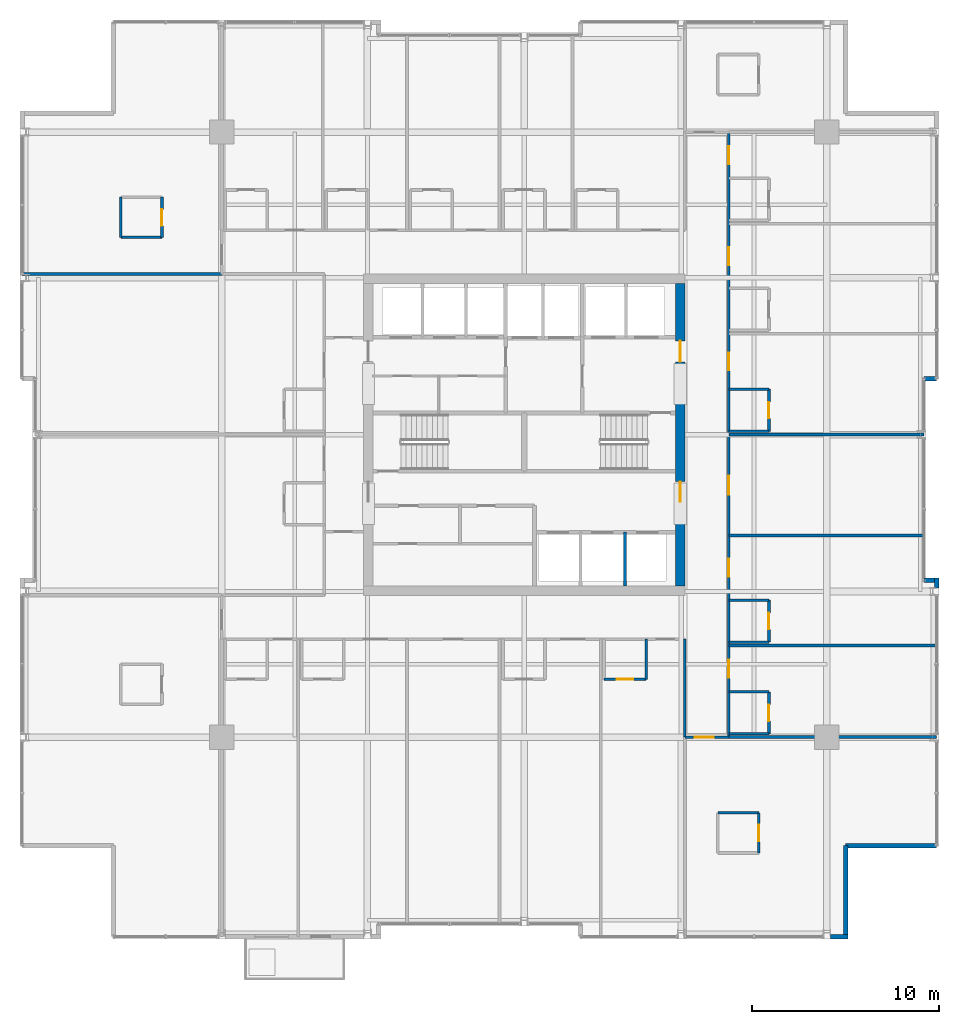
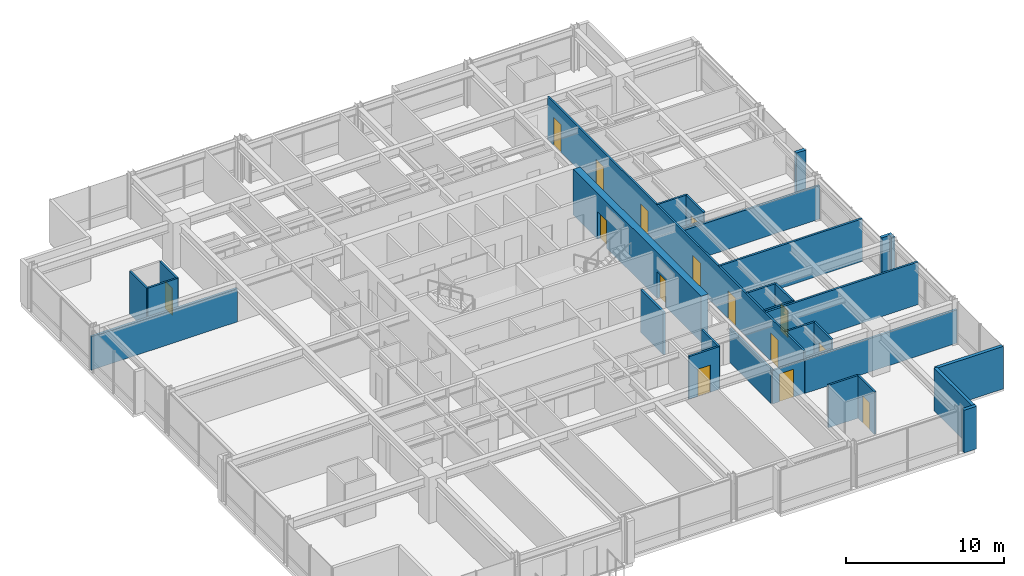
# One storey, part 28 of 32: 32 walls, 15 doors, 15 openings.
"""IFC4 building model written with IfcOpenShell, lengths in metres."""

from ifc_helpers import new_model, si_unit, direction, frame, frame_2d, origin, place, context, subcontext, project, spatial, rectangle, extrude, material, layer, layer_set, type_object, element, fill, save


model = new_model("IFC4")

# Units and contexts
model_context = context("Model", 3, precision=1e-05, world=origin(), true_north=direction((0.0, 1.0)))
body_context = subcontext(model_context, "Body", "Model", "MODEL_VIEW")
ifc_project = project(units=[si_unit("LENGTHUNIT", "METRE"), si_unit("AREAUNIT", "SQUARE_METRE"), si_unit("VOLUMEUNIT", "CUBIC_METRE"), si_unit("PLANEANGLEUNIT", "RADIAN"), si_unit("MASSUNIT", "GRAM", prefix="KILO")], contexts=[model_context])

# Site, building, storey
site_placement = place(None, origin())
site = spatial("IfcSite", under=ifc_project, at=site_placement, CompositionType="ELEMENT")
building_placement = place(site_placement, origin())
building = spatial("IfcBuilding", under=site, at=building_placement, Name="Drelvath Grand Hotel", CompositionType="ELEMENT")
storey_placement = place(building_placement, frame((0.0, 0.0, 150.39990234375)))
storey = spatial("IfcBuildingStorey", under=building, at=storey_placement, Name="L38", CompositionType="ELEMENT", Elevation=150.39990234375)

# Walls
ifc_material_1 = material(Name="Gypsum Fireboard Partition")
ifc_layer_1 = layer(ifc_material_1, 0.1650390625)
ifc_layer_set_1 = layer_set([ifc_layer_1], Name="Gypsum Fireboard Partition")
wall_type_1 = type_object("IfcWallType", Name="Core Shaft Partition 165", PredefinedType="PARTITIONING", material=ifc_layer_set_1)
wall_1_placement = place(storey_placement, frame((5.39990234375, 18.89990234375, 0.0), z_axis=(0.0, 0.0, 1.0), x_axis=(0.0, 1.0, 0.0)))
element("IfcWall", 1, at=wall_1_placement, inside=storey, type_object=wall_type_1, Name="L38 Lift PE-5/6 Divider", PredefinedType="PARTITIONING", context=body_context, shape_type="SweptSolid", body=[
    extrude(rectangle(XDim=2.880126953125, YDim=0.1650390625, at=frame_2d((1.43994140625, 0.0))), origin(), (0.0, 0.0, 1.0), 3.2900390625),
])
ifc_layer_2 = layer(ifc_material_1, 0.135009765625)
ifc_layer_set_2 = layer_set([ifc_layer_2], Name="Gypsum Fireboard Partition")
wall_type_2 = type_object("IfcWallType", Name="Corridor Fire Barrier Wall 135", PredefinedType="PARTITIONING", material=ifc_layer_set_2)
wall_2_placement = place(storey_placement, frame((8.60009765625, 10.800048828125, 0.0), z_axis=(0.0, 0.0, 1.0), x_axis=(0.0, 1.0, 0.0)))
element("IfcWall", 2, at=wall_2_placement, inside=storey, type_object=wall_type_2, Name="L38 East Spine South Inner Wall", PredefinedType="PARTITIONING", context=body_context, shape_type="SweptSolid", body=[
    extrude(rectangle(XDim=5.25, YDim=0.135009765625, at=frame_2d((2.625, 0.0))), origin(), (0.0, 0.0, 1.0), 2.66748046875),
])

# Wall, openings, doors
wall_3_placement = place(storey_placement, frame((10.949951171875, 10.800048828125, 0.0), z_axis=(0.0, 0.0, 1.0), x_axis=(0.0, 1.0, 0.0)))
wall_3 = element("IfcWall", 3, at=wall_3_placement, inside=storey, type_object=wall_type_2, Name="L38 East Spine Corridor Wall", PredefinedType="PARTITIONING", context=body_context, shape_type="SweptSolid", body=[
    extrude(rectangle(XDim=32.39990234375, YDim=0.135009765625, at=frame_2d((16.199951171875, 0.0))), origin(), (0.0, 0.0, 1.0), 3.2900390625),
])
opening_1_placement = place(wall_3_placement, frame((3.189453125, 0.0, 0.0)))
opening_1 = element("IfcOpeningElement", 4, at=opening_1_placement, cuts=wall_3, Name="Opening D-T3G1-054", PredefinedType="OPENING", context=body_context, shape_type="SweptSolid", body=[
    extrude(rectangle(XDim=0.9599609375, YDim=2.14990234375, at=frame_2d((0.47998046875, 1.074951171875))), frame((0.0, 0.077392578125, 0.0), z_axis=(0.0, -1.0, 0.0), x_axis=(1.0, 0.0, 0.0)), (0.0, 0.0, 1.0), 0.155029296875),
])
opening_2_placement = place(wall_3_placement, frame((8.589599609375, 0.0, 0.0)))
opening_2 = element("IfcOpeningElement", 5, at=opening_2_placement, cuts=wall_3, Name="Opening D-T3G1-056", PredefinedType="OPENING", context=body_context, shape_type="SweptSolid", body=[
    extrude(rectangle(XDim=0.9599609375, YDim=2.14990234375, at=frame_2d((0.47998046875, 1.074951171875))), frame((0.0, 0.077392578125, 0.0), z_axis=(0.0, -1.0, 0.0), x_axis=(1.0, 0.0, 0.0)), (0.0, 0.0, 1.0), 0.155029296875),
])
opening_3_placement = place(wall_3_placement, frame((12.989990234375, 0.0, 0.0)))
opening_3 = element("IfcOpeningElement", 6, at=opening_3_placement, cuts=wall_3, Name="Opening D-T3G1-057", PredefinedType="OPENING", context=body_context, shape_type="SweptSolid", body=[
    extrude(rectangle(XDim=1.02001953125, YDim=2.14990234375, at=frame_2d((0.510009765625, 1.074951171875))), frame((0.0, 0.077392578125, 0.0), z_axis=(0.0, -1.0, 0.0), x_axis=(1.0, 0.0, 0.0)), (0.0, 0.0, 1.0), 0.155029296875),
])
opening_4_placement = place(wall_3_placement, frame((19.635009765625, 0.0, 0.0)))
opening_4 = element("IfcOpeningElement", 7, at=opening_4_placement, cuts=wall_3, Name="Opening D-T3G1-059", PredefinedType="OPENING", context=body_context, shape_type="SweptSolid", body=[
    extrude(rectangle(XDim=0.9599609375, YDim=2.14990234375, at=frame_2d((0.47998046875, 1.074951171875))), frame((0.0, 0.077392578125, 0.0), z_axis=(0.0, -1.0, 0.0), x_axis=(1.0, 0.0, 0.0)), (0.0, 0.0, 1.0), 0.155029296875),
])
opening_5_placement = place(wall_3_placement, frame((25.280517578125, 0.0, 0.0)))
opening_5 = element("IfcOpeningElement", 8, at=opening_5_placement, cuts=wall_3, Name="Opening D-T3G1-061", PredefinedType="OPENING", context=body_context, shape_type="SweptSolid", body=[
    extrude(rectangle(XDim=0.9599609375, YDim=2.14990234375, at=frame_2d((0.47998046875, 1.074951171875))), frame((0.0, 0.077392578125, 0.0), z_axis=(0.0, -1.0, 0.0), x_axis=(1.0, 0.0, 0.0)), (0.0, 0.0, 1.0), 0.155029296875),
])
opening_6_placement = place(wall_3_placement, frame((30.680419921875, 0.0, 0.0)))
opening_6 = element("IfcOpeningElement", 9, at=opening_6_placement, cuts=wall_3, Name="Opening D-T3G1-063", PredefinedType="OPENING", context=body_context, shape_type="SweptSolid", body=[
    extrude(rectangle(XDim=0.9599609375, YDim=2.14990234375, at=frame_2d((0.47998046875, 1.074951171875))), frame((0.0, 0.077392578125, 0.0), z_axis=(0.0, -1.0, 0.0), x_axis=(1.0, 0.0, 0.0)), (0.0, 0.0, 1.0), 0.155029296875),
])
ifc_material_2 = material(Name="Hardwood Walnut Timber", Category="wood")
door_type_1 = type_object("IfcDoorType", Name="Amenity Meeting Fire Door 1020x2150", OperationType="NOTDEFINED", PredefinedType="DOOR", material=ifc_material_2)
door_1_placement = place(opening_3_placement, origin())
door_1 = element("IfcDoor", 10, at=door_1_placement, inside=storey, type_object=door_type_1, Name="L38 Spa Treatment Room Entry Door", OperationType="SINGLE_SWING_LEFT", OverallHeight=2.14990234375, OverallWidth=1.02001953125, PredefinedType="DOOR", context=body_context, shape_type="SweptSolid", body=[
    extrude(rectangle(XDim=1.02001953125, YDim=2.14990234375, at=frame_2d((0.510009765625, 1.074951171875))), frame((0.0, 0.02490234375, 0.0), z_axis=(0.0, -1.0, 0.0), x_axis=(1.0, 0.0, 0.0)), (0.0, 0.0, 1.0), 0.050048828125),
])
fill(opening_3, door_1)
door_type_2 = type_object("IfcDoorType", Name="Guestroom Entrance Fire Door 960x2150", OperationType="NOTDEFINED", PredefinedType="DOOR", material=ifc_material_2)
door_2_placement = place(opening_1_placement, origin())
door_2 = element("IfcDoor", 11, at=door_2_placement, inside=storey, type_object=door_type_2, Name="L38 King Guest Room Entry Door", OperationType="SINGLE_SWING_RIGHT", OverallHeight=2.14990234375, OverallWidth=0.9599609375, PredefinedType="DOOR", context=body_context, shape_type="SweptSolid", body=[
    extrude(rectangle(XDim=0.9599609375, YDim=2.14990234375, at=frame_2d((0.47998046875, 1.074951171875))), frame((0.0, 0.02490234375, 0.0), z_axis=(0.0, -1.0, 0.0), x_axis=(1.0, 0.0, 0.0)), (0.0, 0.0, 1.0), 0.050048828125),
])
fill(opening_1, door_2)
door_3_placement = place(opening_2_placement, origin())
door_3 = element("IfcDoor", 12, at=door_3_placement, inside=storey, type_object=door_type_2, Name="L38 King Guest Room Entry Door", OperationType="SINGLE_SWING_RIGHT", OverallHeight=2.14990234375, OverallWidth=0.9599609375, PredefinedType="DOOR", context=body_context, shape_type="SweptSolid", body=[
    extrude(rectangle(XDim=0.9599609375, YDim=2.14990234375, at=frame_2d((0.47998046875, 1.074951171875))), frame((0.0, 0.02490234375, 0.0), z_axis=(0.0, -1.0, 0.0), x_axis=(1.0, 0.0, 0.0)), (0.0, 0.0, 1.0), 0.050048828125),
])
fill(opening_2, door_3)
door_4_placement = place(opening_4_placement, origin())
door_4 = element("IfcDoor", 13, at=door_4_placement, inside=storey, type_object=door_type_2, Name="L38 King Guest Room Entry Door", OperationType="SINGLE_SWING_LEFT", OverallHeight=2.14990234375, OverallWidth=0.9599609375, PredefinedType="DOOR", context=body_context, shape_type="SweptSolid", body=[
    extrude(rectangle(XDim=0.9599609375, YDim=2.14990234375, at=frame_2d((0.47998046875, 1.074951171875))), frame((0.0, 0.02490234375, 0.0), z_axis=(0.0, -1.0, 0.0), x_axis=(1.0, 0.0, 0.0)), (0.0, 0.0, 1.0), 0.050048828125),
])
fill(opening_4, door_4)
door_5_placement = place(opening_5_placement, origin())
door_5 = element("IfcDoor", 14, at=door_5_placement, inside=storey, type_object=door_type_2, Name="L38 King Guest Room Entry Door", OperationType="SINGLE_SWING_LEFT", OverallHeight=2.14990234375, OverallWidth=0.9599609375, PredefinedType="DOOR", context=body_context, shape_type="SweptSolid", body=[
    extrude(rectangle(XDim=0.9599609375, YDim=2.14990234375, at=frame_2d((0.47998046875, 1.074951171875))), frame((0.0, 0.02490234375, 0.0), z_axis=(0.0, -1.0, 0.0), x_axis=(1.0, 0.0, 0.0)), (0.0, 0.0, 1.0), 0.050048828125),
])
fill(opening_5, door_5)
door_6_placement = place(opening_6_placement, origin())
door_6 = element("IfcDoor", 15, at=door_6_placement, inside=storey, type_object=door_type_2, Name="L38 King Guest Room Entry Door", OperationType="SINGLE_SWING_LEFT", OverallHeight=2.14990234375, OverallWidth=0.9599609375, PredefinedType="DOOR", context=body_context, shape_type="SweptSolid", body=[
    extrude(rectangle(XDim=0.9599609375, YDim=2.14990234375, at=frame_2d((0.47998046875, 1.074951171875))), frame((0.0, 0.02490234375, 0.0), z_axis=(0.0, -1.0, 0.0), x_axis=(1.0, 0.0, 0.0)), (0.0, 0.0, 1.0), 0.050048828125),
])
fill(opening_6, door_6)

# Wall, opening, door
wall_4_placement = place(storey_placement, frame((8.60009765625, 10.800048828125, 0.0), z_axis=(0.0, 0.0, 1.0), x_axis=(1.0, 0.0, 0.0)))
wall_4 = element("IfcWall", 16, at=wall_4_placement, inside=storey, type_object=wall_type_2, Name="L38 East Spine South End", PredefinedType="PARTITIONING", context=body_context, shape_type="SweptSolid", body=[
    extrude(rectangle(XDim=2.349853515625, YDim=0.135009765625, at=frame_2d((1.1748046875, 0.0))), origin(), (0.0, 0.0, 1.0), 2.57958984375),
])
opening_7_placement = place(wall_4_placement, frame((0.52001953125, 0.0, 0.0)))
opening_7 = element("IfcOpeningElement", 17, at=opening_7_placement, cuts=wall_4, Name="Opening D-T3G1-031", PredefinedType="OPENING", context=body_context, shape_type="SweptSolid", body=[
    extrude(rectangle(XDim=1.02001953125, YDim=2.14990234375, at=frame_2d((0.510009765625, 1.074951171875))), frame((0.0, 0.077392578125, 0.0), z_axis=(0.0, -1.0, 0.0), x_axis=(1.0, 0.0, 0.0)), (0.0, 0.0, 1.0), 0.155029296875),
])
door_7_placement = place(opening_7_placement, origin())
door_7 = element("IfcDoor", 18, at=door_7_placement, inside=storey, type_object=door_type_1, Name="L38 Executive Suite Entry Door", OperationType="SINGLE_SWING_LEFT", OverallHeight=2.14990234375, OverallWidth=1.02001953125, PredefinedType="DOOR", context=body_context, shape_type="SweptSolid", body=[
    extrude(rectangle(XDim=1.02001953125, YDim=2.14990234375, at=frame_2d((0.510009765625, 1.074951171875))), frame((0.0, 0.02490234375, 0.0), z_axis=(0.0, -1.0, 0.0), x_axis=(1.0, 0.0, 0.0)), (0.0, 0.0, 1.0), 0.050048828125),
])
fill(opening_7, door_7)

# Walls
ifc_material_3 = material(Name="Moisture-Resistant Gypsum Board")
ifc_layer_3 = layer(ifc_material_3, 0.139892578125)
ifc_layer_set_3 = layer_set([ifc_layer_3], Name="Moisture-Resistant Gypsum Board")
wall_type_3 = type_object("IfcWallType", Name="En-Suite Plumbing Wall 140", PredefinedType="PLUMBINGWALL", material=ifc_layer_set_3)
wall_5_placement = place(storey_placement, frame((-21.60009765625, 37.56005859375, 0.0), z_axis=(0.0, 0.0, 1.0), x_axis=(1.0, 0.0, 0.0)))
element("IfcWall", 19, at=wall_5_placement, inside=storey, type_object=wall_type_3, Name="L38 Corner En-Suite South", PredefinedType="PLUMBINGWALL", context=body_context, shape_type="SweptSolid", body=[
    extrude(rectangle(XDim=2.2001953125, YDim=0.139892578125, at=frame_2d((1.10009765625, 0.0))), origin(), (0.0, 0.0, 1.0), 3.2900390625),
])
wall_6_placement = place(storey_placement, frame((-21.60009765625, 37.56005859375, 0.0), z_axis=(0.0, 0.0, 1.0), x_axis=(0.0, 1.0, 0.0)))
element("IfcWall", 20, at=wall_6_placement, inside=storey, type_object=wall_type_3, Name="L38 Corner En-Suite West", PredefinedType="PLUMBINGWALL", context=body_context, shape_type="SweptSolid", body=[
    extrude(rectangle(XDim=2.14990234375, YDim=0.139892578125, at=frame_2d((1.074951171875, 0.0))), origin(), (0.0, 0.0, 1.0), 3.2900390625),
])

# Wall, opening, door
wall_7_placement = place(storey_placement, frame((-19.39990234375, 37.56005859375, 0.0), z_axis=(0.0, 0.0, 1.0), x_axis=(0.0, 1.0, 0.0)))
wall_7 = element("IfcWall", 21, at=wall_7_placement, inside=storey, type_object=wall_type_3, Name="L38 Corner En-Suite East", PredefinedType="PLUMBINGWALL", context=body_context, shape_type="SweptSolid", body=[
    extrude(rectangle(XDim=2.14990234375, YDim=0.139892578125, at=frame_2d((1.074951171875, 0.0))), origin(), (0.0, 0.0, 1.0), 3.2900390625),
])
opening_8_placement = place(wall_7_placement, frame((0.6201171875, 0.0, 0.0)))
opening_8 = element("IfcOpeningElement", 22, at=opening_8_placement, cuts=wall_7, Name="Opening D-T3G1-028", PredefinedType="OPENING", context=body_context, shape_type="SweptSolid", body=[
    extrude(rectangle(XDim=0.8798828125, YDim=2.10009765625, at=frame_2d((0.43994140625, 1.050048828125))), frame((0.0, 0.079833984375, 0.0), z_axis=(0.0, -1.0, 0.0), x_axis=(1.0, 0.0, 0.0)), (0.0, 0.0, 1.0), 0.159912109375),
])
door_type_3 = type_object("IfcDoorType", Name="En-Suite Bathroom Door 880x2100", OperationType="NOTDEFINED", PredefinedType="DOOR", material=ifc_material_2)
door_8_placement = place(opening_8_placement, origin())
door_8 = element("IfcDoor", 23, at=door_8_placement, inside=storey, type_object=door_type_3, Name="L38 Corner En-Suite Door", OperationType="SINGLE_SWING_RIGHT", OverallHeight=2.10009765625, OverallWidth=0.8798828125, PredefinedType="DOOR", context=body_context, shape_type="SweptSolid", body=[
    extrude(rectangle(XDim=0.8798828125, YDim=2.10009765625, at=frame_2d((0.43994140625, 1.050048828125))), frame((0.0, 0.02490234375, 0.0), z_axis=(0.0, -1.0, 0.0), x_axis=(1.0, 0.0, 0.0)), (0.0, 0.0, 1.0), 0.050048828125),
])
fill(opening_8, door_8)

# Wall
wall_8_placement = place(storey_placement, frame((10.360107421875, 6.75, 0.0), z_axis=(0.0, 0.0, 1.0), x_axis=(1.0, 0.0, 0.0)))
element("IfcWall", 24, at=wall_8_placement, inside=storey, type_object=wall_type_3, Name="L38 Corner En-Suite North", PredefinedType="PLUMBINGWALL", context=body_context, shape_type="SweptSolid", body=[
    extrude(rectangle(XDim=2.199951171875, YDim=0.139892578125, at=frame_2d((1.10009765625, 0.0))), origin(), (0.0, 0.0, 1.0), 3.2900390625),
])

# Wall, opening, door
wall_9_placement = place(storey_placement, frame((12.56005859375, 4.60009765625, 0.0), z_axis=(0.0, 0.0, 1.0), x_axis=(0.0, 1.0, 0.0)))
wall_9 = element("IfcWall", 25, at=wall_9_placement, inside=storey, type_object=wall_type_3, Name="L38 Corner En-Suite East", PredefinedType="PLUMBINGWALL", context=body_context, shape_type="SweptSolid", body=[
    extrude(rectangle(XDim=2.14990234375, YDim=0.139892578125, at=frame_2d((1.074951171875, 0.0))), origin(), (0.0, 0.0, 1.0), 3.2900390625),
])
opening_9_placement = place(wall_9_placement, frame((0.6201171875, 0.0, 0.0)))
opening_9 = element("IfcOpeningElement", 26, at=opening_9_placement, cuts=wall_9, Name="Opening D-T3G1-030", PredefinedType="OPENING", context=body_context, shape_type="SweptSolid", body=[
    extrude(rectangle(XDim=0.8798828125, YDim=2.10009765625, at=frame_2d((0.43994140625, 1.050048828125))), frame((0.0, 0.079833984375, 0.0), z_axis=(0.0, -1.0, 0.0), x_axis=(1.0, 0.0, 0.0)), (0.0, 0.0, 1.0), 0.159912109375),
])
door_9_placement = place(opening_9_placement, origin())
door_9 = element("IfcDoor", 27, at=door_9_placement, inside=storey, type_object=door_type_3, Name="L38 Corner En-Suite Door", OperationType="SINGLE_SWING_RIGHT", OverallHeight=2.10009765625, OverallWidth=0.8798828125, PredefinedType="DOOR", context=body_context, shape_type="SweptSolid", body=[
    extrude(rectangle(XDim=0.8798828125, YDim=2.10009765625, at=frame_2d((0.43994140625, 1.050048828125))), frame((0.0, 0.02490234375, 0.0), z_axis=(0.0, -1.0, 0.0), x_axis=(1.0, 0.0, 0.0)), (0.0, 0.0, 1.0), 0.050048828125),
])
fill(opening_9, door_9)

# Wall
wall_10_placement = place(storey_placement, frame((6.52099609375, 16.050048828125, 0.0), z_axis=(0.0, 0.0, 1.0), x_axis=(0.0, -1.0, 0.0)))
element("IfcWall", 28, at=wall_10_placement, inside=storey, type_object=wall_type_3, Name="L38 En-Suite Right Wall", PredefinedType="PLUMBINGWALL", context=body_context, shape_type="SweptSolid", body=[
    extrude(rectangle(XDim=2.150146484375, YDim=0.139892578125, at=frame_2d((1.0751953125, 0.0))), origin(), (0.0, 0.0, 1.0), 3.2900390625),
])

# Wall, opening, door
wall_11_placement = place(storey_placement, frame((4.27099609375, 13.89990234375, 0.0), z_axis=(0.0, 0.0, 1.0), x_axis=(1.0, 0.0, 0.0)))
wall_11 = element("IfcWall", 29, at=wall_11_placement, inside=storey, type_object=wall_type_3, Name="L38 En-Suite Front Wall", PredefinedType="PLUMBINGWALL", context=body_context, shape_type="SweptSolid", body=[
    extrude(rectangle(XDim=2.25, YDim=0.139892578125, at=frame_2d((1.125, 0.0))), origin(), (0.0, 0.0, 1.0), 3.2900390625),
])
opening_10_placement = place(wall_11_placement, frame((0.68505859375, 0.0, 0.0)))
opening_10 = element("IfcOpeningElement", 30, at=opening_10_placement, cuts=wall_11, Name="Opening D-T3G1-041", PredefinedType="OPENING", context=body_context, shape_type="SweptSolid", body=[
    extrude(rectangle(XDim=0.8798828125, YDim=2.10009765625, at=frame_2d((0.43994140625, 1.050048828125))), frame((0.0, 0.079833984375, 0.0), z_axis=(0.0, -1.0, 0.0), x_axis=(1.0, 0.0, 0.0)), (0.0, 0.0, 1.0), 0.159912109375),
])
door_10_placement = place(opening_10_placement, origin())
door_10 = element("IfcDoor", 31, at=door_10_placement, inside=storey, type_object=door_type_3, Name="L38 En-Suite Bathroom Door", OperationType="SINGLE_SWING_LEFT", OverallHeight=2.10009765625, OverallWidth=0.8798828125, PredefinedType="DOOR", context=body_context, shape_type="SweptSolid", body=[
    extrude(rectangle(XDim=0.8798828125, YDim=2.10009765625, at=frame_2d((0.43994140625, 1.050048828125))), frame((0.0, 0.02490234375, 0.0), z_axis=(0.0, -1.0, 0.0), x_axis=(1.0, 0.0, 0.0)), (0.0, 0.0, 1.0), 0.050048828125),
])
fill(opening_10, door_10)

# Walls
wall_12_placement = place(storey_placement, frame((10.949951171875, 10.97998046875, 0.0), z_axis=(0.0, 0.0, 1.0), x_axis=(1.0, 0.0, 0.0)))
element("IfcWall", 32, at=wall_12_placement, inside=storey, type_object=wall_type_3, Name="L38 En-Suite Left Wall", PredefinedType="PLUMBINGWALL", context=body_context, shape_type="SweptSolid", body=[
    extrude(rectangle(XDim=2.150146484375, YDim=0.139892578125, at=frame_2d((1.0751953125, 0.0))), origin(), (0.0, 0.0, 1.0), 2.57958984375),
])
wall_13_placement = place(storey_placement, frame((10.949951171875, 13.22998046875, 0.0), z_axis=(0.0, 0.0, 1.0), x_axis=(1.0, 0.0, 0.0)))
element("IfcWall", 33, at=wall_13_placement, inside=storey, type_object=wall_type_3, Name="L38 En-Suite Right Wall", PredefinedType="PLUMBINGWALL", context=body_context, shape_type="SweptSolid", body=[
    extrude(rectangle(XDim=2.150146484375, YDim=0.139892578125, at=frame_2d((1.0751953125, 0.0))), origin(), (0.0, 0.0, 1.0), 3.2900390625),
])

# Wall, opening, door
wall_14_placement = place(storey_placement, frame((13.10009765625, 10.97998046875, 0.0), z_axis=(0.0, 0.0, 1.0), x_axis=(0.0, 1.0, 0.0)))
wall_14 = element("IfcWall", 34, at=wall_14_placement, inside=storey, type_object=wall_type_3, Name="L38 En-Suite Front Wall", PredefinedType="PLUMBINGWALL", context=body_context, shape_type="SweptSolid", body=[
    extrude(rectangle(XDim=2.25, YDim=0.139892578125, at=frame_2d((1.125, 0.0))), origin(), (0.0, 0.0, 1.0), 3.2900390625),
])
opening_11_placement = place(wall_14_placement, frame((0.68505859375, 0.0, 0.0)))
opening_11 = element("IfcOpeningElement", 35, at=opening_11_placement, cuts=wall_14, Name="Opening D-T3G1-053", PredefinedType="OPENING", context=body_context, shape_type="SweptSolid", body=[
    extrude(rectangle(XDim=0.8798828125, YDim=2.10009765625, at=frame_2d((0.43994140625, 1.050048828125))), frame((0.0, 0.079833984375, 0.0), z_axis=(0.0, -1.0, 0.0), x_axis=(1.0, 0.0, 0.0)), (0.0, 0.0, 1.0), 0.159912109375),
])
door_11_placement = place(opening_11_placement, origin())
door_11 = element("IfcDoor", 36, at=door_11_placement, inside=storey, type_object=door_type_3, Name="L38 En-Suite Bathroom Door", OperationType="SINGLE_SWING_LEFT", OverallHeight=2.10009765625, OverallWidth=0.8798828125, PredefinedType="DOOR", context=body_context, shape_type="SweptSolid", body=[
    extrude(rectangle(XDim=0.8798828125, YDim=2.10009765625, at=frame_2d((0.43994140625, 1.050048828125))), frame((0.0, 0.02490234375, 0.0), z_axis=(0.0, -1.0, 0.0), x_axis=(1.0, 0.0, 0.0)), (0.0, 0.0, 1.0), 0.050048828125),
])
fill(opening_11, door_11)

# Walls
for number, where, z_axis, x_axis, name in (
    (37, (10.949951171875, 15.88916015625, 0.0), (0.0, 0.0, 1.0), (1.0, 0.0, 0.0), "L38 En-Suite Left Wall"),
    (38, (10.949951171875, 18.13916015625, 0.0), (0.0, 0.0, 1.0), (1.0, 0.0, 0.0), "L38 En-Suite Right Wall"),
):
    element("IfcWall", number, at=place(storey_placement, frame(where, z_axis=z_axis, x_axis=x_axis)), inside=storey, type_object=wall_type_3, Name=name, PredefinedType="PLUMBINGWALL", context=body_context, shape_type="SweptSolid", body=[
        extrude(rectangle(XDim=2.150146484375, YDim=0.139892578125, at=frame_2d((1.0751953125, 0.0))), origin(), (0.0, 0.0, 1.0), 3.2900390625),
    ])

# Wall, opening, door
wall_15_placement = place(storey_placement, frame((13.10009765625, 15.88916015625, 0.0), z_axis=(0.0, 0.0, 1.0), x_axis=(0.0, 1.0, 0.0)))
wall_15 = element("IfcWall", 39, at=wall_15_placement, inside=storey, type_object=wall_type_3, Name="L38 En-Suite Front Wall", PredefinedType="PLUMBINGWALL", context=body_context, shape_type="SweptSolid", body=[
    extrude(rectangle(XDim=2.25, YDim=0.139892578125, at=frame_2d((1.125, 0.0))), origin(), (0.0, 0.0, 1.0), 3.2900390625),
])
opening_12_placement = place(wall_15_placement, frame((0.68505859375, 0.0, 0.0)))
opening_12 = element("IfcOpeningElement", 40, at=opening_12_placement, cuts=wall_15, Name="Opening D-T3G1-055", PredefinedType="OPENING", context=body_context, shape_type="SweptSolid", body=[
    extrude(rectangle(XDim=0.8798828125, YDim=2.10009765625, at=frame_2d((0.43994140625, 1.050048828125))), frame((0.0, 0.079833984375, 0.0), z_axis=(0.0, -1.0, 0.0), x_axis=(1.0, 0.0, 0.0)), (0.0, 0.0, 1.0), 0.159912109375),
])
door_12_placement = place(opening_12_placement, origin())
door_12 = element("IfcDoor", 41, at=door_12_placement, inside=storey, type_object=door_type_3, Name="L38 En-Suite Bathroom Door", OperationType="SINGLE_SWING_LEFT", OverallHeight=2.10009765625, OverallWidth=0.8798828125, PredefinedType="DOOR", context=body_context, shape_type="SweptSolid", body=[
    extrude(rectangle(XDim=0.8798828125, YDim=2.10009765625, at=frame_2d((0.43994140625, 1.050048828125))), frame((0.0, 0.02490234375, 0.0), z_axis=(0.0, -1.0, 0.0), x_axis=(1.0, 0.0, 0.0)), (0.0, 0.0, 1.0), 0.050048828125),
])
fill(opening_12, door_12)

# Walls
wall_16_placement = place(storey_placement, frame((10.949951171875, 27.179931640625, 0.0), z_axis=(0.0, 0.0, 1.0), x_axis=(1.0, 0.0, 0.0)))
element("IfcWall", 42, at=wall_16_placement, inside=storey, type_object=wall_type_3, Name="L38 En-Suite Left Wall", PredefinedType="PLUMBINGWALL", context=body_context, shape_type="SweptSolid", body=[
    extrude(rectangle(XDim=2.150146484375, YDim=0.139892578125, at=frame_2d((1.0751953125, 0.0))), origin(), (0.0, 0.0, 1.0), 2.66748046875),
])
wall_17_placement = place(storey_placement, frame((10.949951171875, 29.429931640625, 0.0), z_axis=(0.0, 0.0, 1.0), x_axis=(1.0, 0.0, 0.0)))
element("IfcWall", 43, at=wall_17_placement, inside=storey, type_object=wall_type_3, Name="L38 En-Suite Right Wall", PredefinedType="PLUMBINGWALL", context=body_context, shape_type="SweptSolid", body=[
    extrude(rectangle(XDim=2.150146484375, YDim=0.139892578125, at=frame_2d((1.0751953125, 0.0))), origin(), (0.0, 0.0, 1.0), 3.2900390625),
])

# Wall, opening, door
wall_18_placement = place(storey_placement, frame((13.10009765625, 27.179931640625, 0.0), z_axis=(0.0, 0.0, 1.0), x_axis=(0.0, 1.0, 0.0)))
wall_18 = element("IfcWall", 44, at=wall_18_placement, inside=storey, type_object=wall_type_3, Name="L38 En-Suite Front Wall", PredefinedType="PLUMBINGWALL", context=body_context, shape_type="SweptSolid", body=[
    extrude(rectangle(XDim=2.25, YDim=0.139892578125, at=frame_2d((1.125, 0.0))), origin(), (0.0, 0.0, 1.0), 3.2900390625),
])
opening_13_placement = place(wall_18_placement, frame((0.68505859375, 0.0, 0.0)))
opening_13 = element("IfcOpeningElement", 45, at=opening_13_placement, cuts=wall_18, Name="Opening D-T3G1-058", PredefinedType="OPENING", context=body_context, shape_type="SweptSolid", body=[
    extrude(rectangle(XDim=0.8798828125, YDim=2.10009765625, at=frame_2d((0.43994140625, 1.050048828125))), frame((0.0, 0.079833984375, 0.0), z_axis=(0.0, -1.0, 0.0), x_axis=(1.0, 0.0, 0.0)), (0.0, 0.0, 1.0), 0.159912109375),
])
door_13_placement = place(opening_13_placement, origin())
door_13 = element("IfcDoor", 46, at=door_13_placement, inside=storey, type_object=door_type_3, Name="L38 En-Suite Bathroom Door", OperationType="SINGLE_SWING_RIGHT", OverallHeight=2.10009765625, OverallWidth=0.8798828125, PredefinedType="DOOR", context=body_context, shape_type="SweptSolid", body=[
    extrude(rectangle(XDim=0.8798828125, YDim=2.10009765625, at=frame_2d((0.43994140625, 1.050048828125))), frame((0.0, 0.02490234375, 0.0), z_axis=(0.0, -1.0, 0.0), x_axis=(1.0, 0.0, 0.0)), (0.0, 0.0, 1.0), 0.050048828125),
])
fill(opening_13, door_13)

# Walls
ifc_material_4 = material(Name="Gypsum Acoustic Partition")
ifc_layer_4 = layer(ifc_material_4, 0.14990234375)
ifc_layer_set_4 = layer_set([ifc_layer_4], Name="Gypsum Acoustic Partition")
wall_type_4 = type_object("IfcWallType", Name="Guestroom Demising Wall 150", PredefinedType="PARTITIONING", material=ifc_layer_set_4)
wall_19_placement = place(storey_placement, frame((10.949951171875, 15.708984375, 0.0), z_axis=(0.0, 0.0, 1.0), x_axis=(1.0, 0.0, 0.0)))
element("IfcWall", 47, at=wall_19_placement, inside=storey, type_object=wall_type_4, Name="L38 East Demising 1", PredefinedType="PARTITIONING", context=body_context, shape_type="SweptSolid", body=[
    extrude(rectangle(XDim=11.130126953125, YDim=0.14990234375, at=frame_2d((5.56494140625, 0.0))), origin(), (0.0, 0.0, 1.0), 3.2900390625),
])
wall_20_placement = place(storey_placement, frame((10.949951171875, 21.60009765625, 0.0), z_axis=(0.0, 0.0, 1.0), x_axis=(1.0, 0.0, 0.0)))
element("IfcWall", 48, at=wall_20_placement, inside=storey, type_object=wall_type_4, Name="L38 East Demising 2", PredefinedType="PARTITIONING", context=body_context, shape_type="SweptSolid", body=[
    extrude(rectangle(XDim=10.449951171875, YDim=0.14990234375, at=frame_2d((5.22509765625, 0.0))), origin(), (0.0, 0.0, 1.0), 3.2900390625),
])
wall_21_placement = place(storey_placement, frame((10.949951171875, 27.0, 0.0), z_axis=(0.0, 0.0, 1.0), x_axis=(1.0, 0.0, 0.0)))
element("IfcWall", 49, at=wall_21_placement, inside=storey, type_object=wall_type_4, Name="L38 East Demising 3", PredefinedType="PARTITIONING", context=body_context, shape_type="SweptSolid", body=[
    extrude(rectangle(XDim=10.449951171875, YDim=0.14990234375, at=frame_2d((5.22509765625, 0.0))), origin(), (0.0, 0.0, 1.0), 2.57958984375),
])
ifc_layer_5 = layer(ifc_material_4, 0.1650390625)
ifc_layer_set_5 = layer_set([ifc_layer_5], Name="Gypsum Acoustic Partition")
wall_type_5 = type_object("IfcWallType", Name="Suite Demising Wall 165", PredefinedType="PARTITIONING", material=ifc_layer_set_5)
wall_22_placement = place(storey_placement, frame((10.949951171875, 10.800048828125, 0.0), z_axis=(0.0, 0.0, 1.0), x_axis=(1.0, 0.0, 0.0)))
element("IfcWall", 50, at=wall_22_placement, inside=storey, type_object=wall_type_5, Name="L38 SE Suite North Wall", PredefinedType="PARTITIONING", context=body_context, shape_type="SweptSolid", body=[
    extrude(rectangle(XDim=11.130126953125, YDim=0.1650390625, at=frame_2d((5.56494140625, 0.0))), origin(), (0.0, 0.0, 1.0), 2.57958984375),
])
wall_23_placement = place(storey_placement, frame((-26.8798828125, 35.60009765625, 0.0), z_axis=(0.0, 0.0, 1.0), x_axis=(1.0, 0.0, 0.0)))
element("IfcWall", 51, at=wall_23_placement, inside=storey, type_object=wall_type_5, Name="L38 NW Suite South Wall", PredefinedType="PARTITIONING", context=body_context, shape_type="SweptSolid", body=[
    extrude(rectangle(XDim=10.679931640625, YDim=0.1650390625, at=frame_2d((5.33984375, 0.0))), origin(), (0.0, 0.0, 1.0), 2.57958984375),
])
ifc_material_5 = material(Name="Pale-Metal Insulated Aluminium Spandrel Assembly", Category="aluminium")
ifc_layer_6 = layer(ifc_material_5, 0.239990234375)
ifc_layer_set_6 = layer_set([ifc_layer_6], Name="Pale-Metal Insulated Aluminium Spandrel Assembly")
wall_type_6 = type_object("IfcWallType", Name="Tower Insulated Metal Spandrel Closure Wall 240", PredefinedType="STANDARD", material=ifc_layer_set_6)
wall_24_placement = place(storey_placement, frame((22.080078125, 19.320068359375, 0.0), z_axis=(0.0, 0.0, 1.0), x_axis=(0.0, -1.0, 0.0)))
element("IfcWall", 52, at=wall_24_placement, inside=storey, type_object=wall_type_6, Name="L38 Corner Pier Spandrel Wall ES3", PredefinedType="STANDARD", context=body_context, shape_type="SweptSolid", body=[
    extrude(rectangle(XDim=0.52001953125, YDim=0.239990234375, at=frame_2d((0.260009765625, 0.0))), origin(), (0.0, 0.0, 1.0), 3.2900390625),
])
wall_25_placement = place(storey_placement, frame((17.320068359375, 0.1201171875, 0.0), z_axis=(0.0, 0.0, 1.0), x_axis=(-1.0, 0.0, 0.0)))
element("IfcWall", 53, at=wall_25_placement, inside=storey, type_object=wall_type_6, Name="L38 Corner Pier Spandrel Wall SE3", PredefinedType="STANDARD", context=body_context, shape_type="SweptSolid", body=[
    extrude(rectangle(XDim=0.919921875, YDim=0.239990234375, at=frame_2d((0.4599609375, 0.0))), origin(), (0.0, 0.0, 1.0), 3.2900390625),
])
wall_26_placement = place(storey_placement, frame((22.080078125, 5.0, 0.0), z_axis=(0.0, 0.0, 1.0), x_axis=(-1.0, 0.0, 0.0)))
element("IfcWall", 54, at=wall_26_placement, inside=storey, type_object=wall_type_6, Name="L38 Notched Corner Return Spandrel Wall CSE1", PredefinedType="STANDARD", context=body_context, shape_type="SweptSolid", body=[
    extrude(rectangle(XDim=4.880126953125, YDim=0.239990234375, at=frame_2d((2.43994140625, 0.0))), origin(), (0.0, 0.0, 1.0), 3.2900390625),
])
wall_27_placement = place(storey_placement, frame((17.199951171875, 5.0, 0.0), z_axis=(0.0, 0.0, 1.0), x_axis=(0.0, -1.0, 0.0)))
element("IfcWall", 55, at=wall_27_placement, inside=storey, type_object=wall_type_6, Name="L38 Notched Corner Return Spandrel Wall CSE2", PredefinedType="STANDARD", context=body_context, shape_type="SweptSolid", body=[
    extrude(rectangle(XDim=4.760009765625, YDim=0.239990234375, at=frame_2d((2.3798828125, 0.0))), origin(), (0.0, 0.0, 1.0), 3.2900390625),
])
wall_28_placement = place(storey_placement, frame((22.080078125, 30.0, 0.0), z_axis=(0.0, 0.0, 1.0), x_axis=(-1.0, 0.0, 0.0)))
element("IfcWall", 56, at=wall_28_placement, inside=storey, type_object=wall_type_6, Name="L38 Notched Corner Return Spandrel Wall RE1", PredefinedType="STANDARD", context=body_context, shape_type="SweptSolid", body=[
    extrude(rectangle(XDim=0.68017578125, YDim=0.239990234375, at=frame_2d((0.340087890625, 0.0))), origin(), (0.0, 0.0, 1.0), 3.2900390625),
])
wall_29_placement = place(storey_placement, frame((21.39990234375, 19.199951171875, 0.0), z_axis=(0.0, 0.0, 1.0), x_axis=(1.0, 0.0, 0.0)))
element("IfcWall", 57, at=wall_29_placement, inside=storey, type_object=wall_type_6, Name="L38 Notched Corner Return Spandrel Wall RE2", PredefinedType="STANDARD", context=body_context, shape_type="SweptSolid", body=[
    extrude(rectangle(XDim=0.56005859375, YDim=0.239990234375, at=frame_2d((0.280029296875, 0.0))), origin(), (0.0, 0.0, 1.0), 3.2900390625),
])

# Wall, openings, doors
ifc_material_6 = material(Name="Concrete f'c 55 MPa", Category="concrete")
ifc_layer_7 = layer(ifc_material_6, 0.5)
ifc_layer_set_7 = layer_set([ifc_layer_7], Name="Concrete f'c 55 MPa")
wall_type_7 = type_object("IfcWallType", Name="Upper Core RC Shear Wall 500", PredefinedType="SHEAR", material=ifc_layer_set_7)
wall_30_placement = place(storey_placement, frame((8.35009765625, 35.10009765625, 0.0), z_axis=(0.0, 0.0, 1.0), x_axis=(0.0, -1.0, 0.0)))
wall_30 = element("IfcWall", 58, at=wall_30_placement, inside=storey, type_object=wall_type_7, Name="L38 Central Core Shear Wall E", PredefinedType="SHEAR", context=body_context, shape_type="SweptSolid", body=[
    extrude(rectangle(XDim=16.2001953125, YDim=0.5, at=frame_2d((8.10009765625, 0.0))), origin(), (0.0, 0.0, 1.0), 3.550048828125),
])
opening_14_placement = place(wall_30_placement, frame((3.080078125, 0.0, 0.0)))
opening_14 = element("IfcOpeningElement", 59, at=opening_14_placement, cuts=wall_30, Name="Opening D-T3G1-006", PredefinedType="OPENING", context=body_context, shape_type="SweptSolid", body=[
    extrude(rectangle(XDim=1.1201171875, YDim=2.10009765625, at=frame_2d((0.56005859375, 1.050048828125))), frame((0.0, 0.260009765625, 0.0), z_axis=(0.0, -1.0, 0.0), x_axis=(1.0, 0.0, 0.0)), (0.0, 0.0, 1.0), 0.52001953125),
])
opening_15_placement = place(wall_30_placement, frame((10.6201171875, 0.0, 0.0)))
opening_15 = element("IfcOpeningElement", 60, at=opening_15_placement, cuts=wall_30, Name="Opening D-T3G1-020", PredefinedType="OPENING", context=body_context, shape_type="SweptSolid", body=[
    extrude(rectangle(XDim=1.080078125, YDim=2.0400390625, at=frame_2d((0.5400390625, 1.02001953125))), frame((0.0, 0.260009765625, 0.0), z_axis=(0.0, -1.0, 0.0), x_axis=(1.0, 0.0, 0.0)), (0.0, 0.0, 1.0), 0.52001953125),
])
ifc_material_7 = material(Name="Painted Steel S275", Category="steel")
door_type_4 = type_object("IfcDoorType", Name="Core Corridor Fire Door 1080x2100", OperationType="NOTDEFINED", PredefinedType="DOOR", material=ifc_material_7)
door_14_placement = place(opening_15_placement, origin())
door_14 = element("IfcDoor", 61, at=door_14_placement, inside=storey, type_object=door_type_4, Name="L38 Mid-Rise Lobby East Door", OperationType="SINGLE_SWING_RIGHT", OverallHeight=2.0400390625, OverallWidth=1.080078125, PredefinedType="DOOR", context=body_context, shape_type="SweptSolid", body=[
    extrude(rectangle(XDim=1.080078125, YDim=2.0400390625, at=frame_2d((0.5400390625, 1.02001953125))), frame((0.0, 0.02490234375, 0.0), z_axis=(0.0, -1.0, 0.0), x_axis=(1.0, 0.0, 0.0)), (0.0, 0.0, 1.0), 0.050048828125),
])
fill(opening_15, door_14)
door_type_5 = type_object("IfcDoorType", Name="FSAE Smoke Lobby Fire Door 1120x2100", OperationType="NOTDEFINED", PredefinedType="DOOR", material=ifc_material_7)
door_15_placement = place(opening_14_placement, origin())
door_15 = element("IfcDoor", 62, at=door_15_placement, inside=storey, type_object=door_type_5, Name="L38 FSAE Lobby East Corridor Door", OperationType="SINGLE_SWING_LEFT", OverallHeight=2.10009765625, OverallWidth=1.1201171875, PredefinedType="DOOR", context=body_context, shape_type="SweptSolid", body=[
    extrude(rectangle(XDim=1.1201171875, YDim=2.10009765625, at=frame_2d((0.56005859375, 1.050048828125))), frame((0.0, 0.02490234375, 0.0), z_axis=(0.0, -1.0, 0.0), x_axis=(1.0, 0.0, 0.0)), (0.0, 0.0, 1.0), 0.050048828125),
])
fill(opening_14, door_15)

save(model, "model.ifc")
